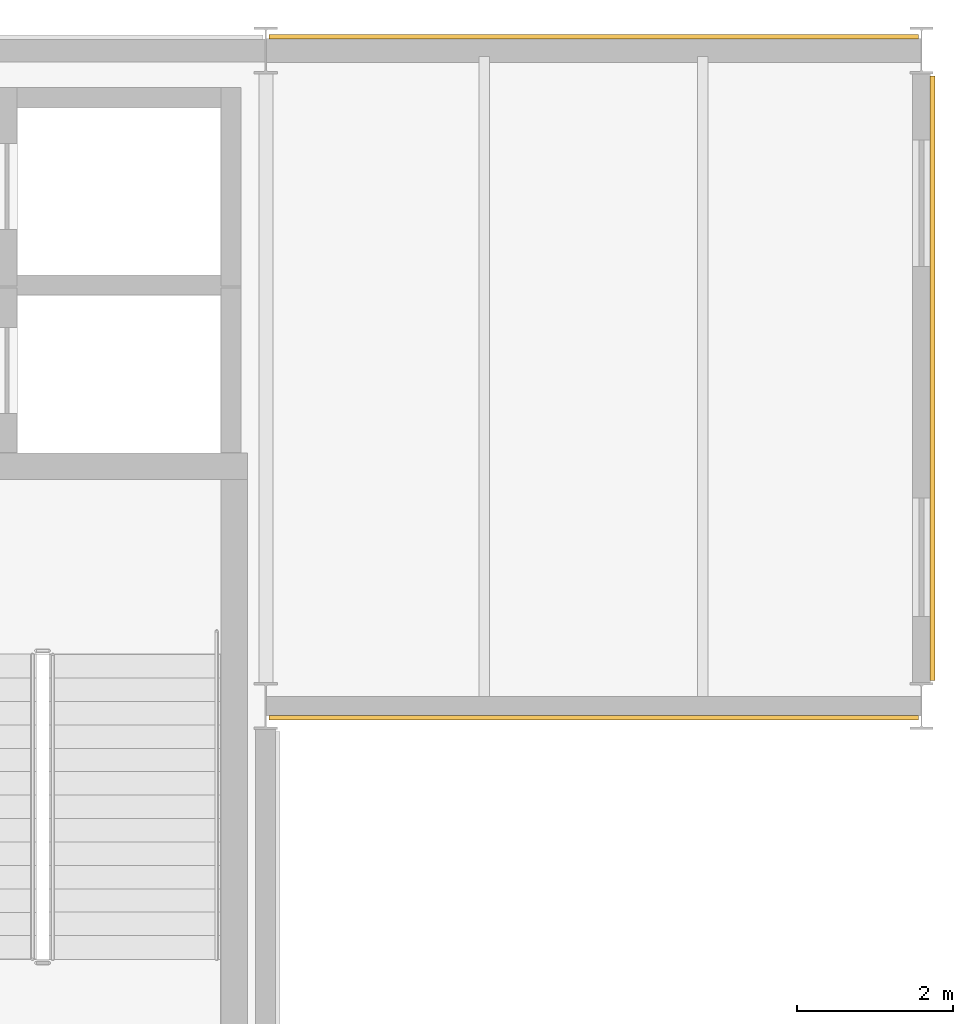
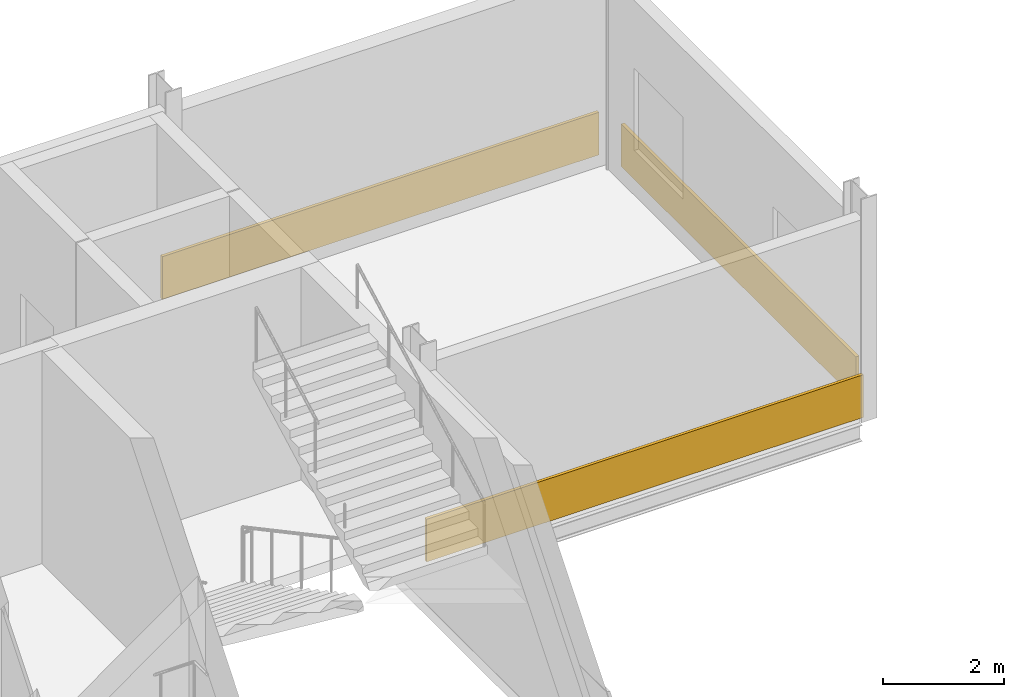
# One storey, part 129 of 129: 3 coverings.
"""IFC4 building model written with IfcOpenShell, lengths in metres."""

from ifc_helpers import new_model, si_unit, direction, frame, origin, origin_2d, place, context, subcontext, project, spatial, rectangle, extrude, material, layer, layer_set, type_object, element, save


model = new_model("IFC4")

# Units and contexts
model_context = context("Model", 3, precision=1e-05, world=origin(), true_north=direction((0.0, 1.0)))
body_context = subcontext(model_context, "Body", "Model", "MODEL_VIEW")
ifc_project = project(units=[si_unit("LENGTHUNIT", "METRE"), si_unit("AREAUNIT", "SQUARE_METRE"), si_unit("VOLUMEUNIT", "CUBIC_METRE"), si_unit("PLANEANGLEUNIT", "RADIAN"), si_unit("MASSUNIT", "GRAM", prefix="KILO")], contexts=[model_context])

# Site, building, storey
site_placement = place(None, origin())
site = spatial("IfcSite", under=ifc_project, at=site_placement, CompositionType="ELEMENT")
building_placement = place(site_placement, origin())
building = spatial("IfcBuilding", under=site, at=building_placement, Name="Mersafa Astral City Hall", CompositionType="ELEMENT")
storey_placement = place(building_placement, frame((0.0, 0.0, 5.39990234375)))
storey = spatial("IfcBuildingStorey", under=building, at=storey_placement, Name="L01", CompositionType="ELEMENT", Elevation=5.39990234375)

# Coverings
ifc_material = material(Name="Cairo Mokattam buff limestone cladding", Category="masonry")
ifc_layer = layer(ifc_material, 0.06005859375, Name="Cairo Mokattam buff limestone cladding")
ifc_layer_set = layer_set([ifc_layer], Name="Cairo Mokattam buff limestone cladding — ENV-COV-LIMESTONE-60")
covering_type = type_object("IfcCoveringType", Name="ENV-COV-LIMESTONE-60", PredefinedType="CLADDING", material=ifc_layer_set)
covering_1_placement = place(storey_placement, frame((180.60009765625, 117.452880859375, 0.0), z_axis=(0.0, 0.0, 1.0), x_axis=(1.0, 0.0, 0.0)))
element("IfcCovering", 1, at=covering_1_placement, inside=storey, type_object=covering_type, Name="L01 Cairo buff limestone rainscreen cladding 94", PredefinedType="CLADDING", context=body_context, shape_type="SweptSolid", body=[
    extrude(rectangle(XDim=8.323974609375, YDim=0.06005859375, at=origin_2d()), origin(), (0.0, 0.0, 1.0), 0.860107421875),
])
covering_2_placement = place(storey_placement, frame((184.939453125, 121.800048828125, 0.0), z_axis=(0.0, 0.0, 1.0), x_axis=(0.0, 1.0, 0.0)))
element("IfcCovering", 2, at=covering_2_placement, inside=storey, type_object=covering_type, Name="L01 Cairo buff limestone rainscreen cladding 95", PredefinedType="CLADDING", context=body_context, shape_type="SweptSolid", body=[
    extrude(rectangle(XDim=7.748046875, YDim=0.06005859375, at=origin_2d()), origin(), (0.0, 0.0, 1.0), 0.860107421875),
])
covering_3_placement = place(storey_placement, frame((180.60009765625, 126.177001953125, 0.0), z_axis=(0.0, 0.0, 1.0), x_axis=(-1.0, 0.0, 0.0)))
element("IfcCovering", 3, at=covering_3_placement, inside=storey, type_object=covering_type, Name="L01 Cairo buff limestone rainscreen cladding 96", PredefinedType="CLADDING", context=body_context, shape_type="SweptSolid", body=[
    extrude(rectangle(XDim=8.323974609375, YDim=0.06005859375, at=origin_2d()), origin(), (0.0, 0.0, 1.0), 0.860107421875),
])

save(model, "model.ifc")
